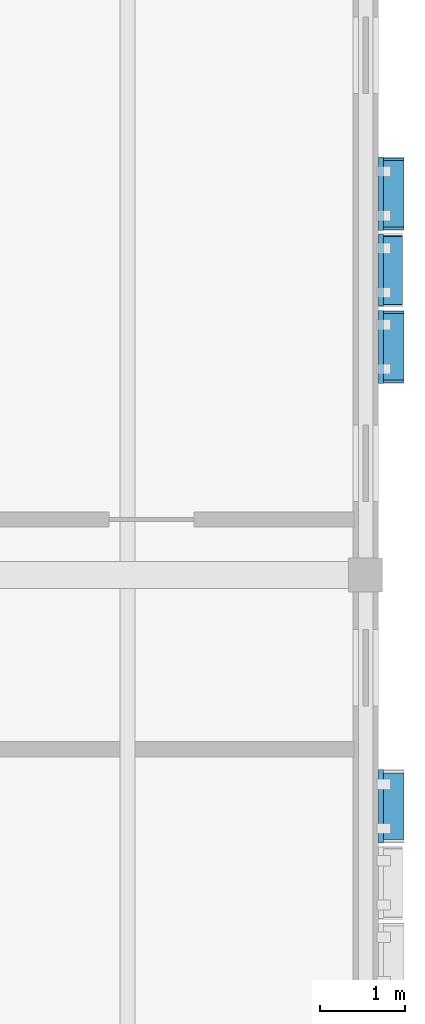
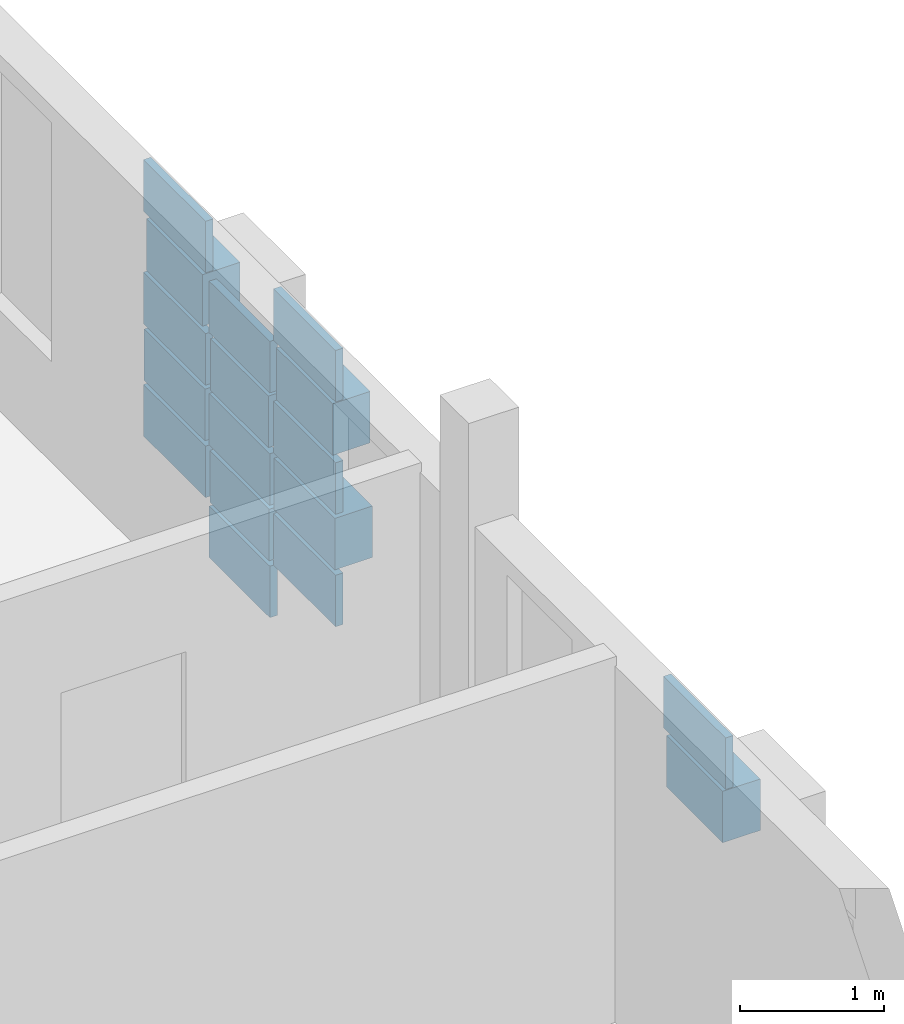
# One storey, part 33 of 57: 17 plates.
"""IFC4 building model written with IfcOpenShell, lengths in metres."""

from ifc_helpers import new_model, si_unit, direction, frame, origin, origin_2d, place, context, subcontext, project, spatial, rectangle, extrude, material, layer, layer_set, type_object, element, save


model = new_model("IFC4")

# Units and contexts
model_context = context("Model", 3, precision=1e-05, world=origin(), true_north=direction((0.0, 1.0)))
body_context = subcontext(model_context, "Body", "Model", "MODEL_VIEW")
ifc_project = project(units=[si_unit("LENGTHUNIT", "METRE"), si_unit("AREAUNIT", "SQUARE_METRE"), si_unit("VOLUMEUNIT", "CUBIC_METRE"), si_unit("PLANEANGLEUNIT", "RADIAN"), si_unit("MASSUNIT", "GRAM", prefix="KILO")], contexts=[model_context])

# Site, building, storey
site_placement = place(None, origin())
site = spatial("IfcSite", under=ifc_project, at=site_placement, CompositionType="ELEMENT")
building_placement = place(site_placement, origin())
building = spatial("IfcBuilding", under=site, at=building_placement, Name="Kahlenmark Community Centre", CompositionType="ELEMENT")
storey_placement = place(building_placement, frame((0.0, 0.0, 13.800048828125)))
storey = spatial("IfcBuildingStorey", under=building, at=storey_placement, Name="L03", CompositionType="ELEMENT", Elevation=13.800048828125)

# Plates
ifc_material_1 = material(Name="Extruded warm terracotta recessed weave tile", Category="masonry")
ifc_layer_1 = layer(ifc_material_1, 0.06005859375)
ifc_layer_set_1 = layer_set([ifc_layer_1], Name="Extruded warm terracotta recessed weave tile")
plate_type_1 = type_object("IfcPlateType", Name="PLT-TC-TC-R10-840X60X435", PredefinedType="SHEET", material=ifc_layer_set_1)
for number, where, z_axis, x_axis, name in (
    (1, (116.97998046875, 19.580078125, 0.099853515625), (0.0, 0.0, 1.0), (0.0, 1.0, 0.0), "Basketweave terracotta cassette 4460"),
    (2, (116.97998046875, 19.580078125, 1.0498046875), (0.0, 0.0, 1.0), (0.0, 1.0, 0.0), "Basketweave terracotta cassette 4462"),
    (3, (116.97998046875, 19.580078125, 2.0), (0.0, 0.0, 1.0), (0.0, 1.0, 0.0), "Basketweave terracotta cassette 4464"),
):
    element("IfcPlate", number, at=place(storey_placement, frame(where, z_axis=z_axis, x_axis=x_axis)), inside=storey, type_object=plate_type_1, Name=name, PredefinedType="SHEET", context=body_context, shape_type="SweptSolid", body=[
        extrude(rectangle(XDim=0.840087890625, YDim=0.06005859375, at=origin_2d()), origin(), (0.0, 0.0, 1.0), 0.43505859375),
    ])
ifc_layer_2 = layer(ifc_material_1, 0.06005859375)
ifc_layer_set_2 = layer_set([ifc_layer_2], Name="Extruded warm terracotta recessed weave tile")
plate_type_2 = type_object("IfcPlateType", Name="PLT-TC-TC-R10-860X60X435", PredefinedType="SHEET", material=ifc_layer_set_2)
for number, where, z_axis, x_axis, name in (
    (4, (116.97998046875, 13.280029296875, 2.474853515625), (0.0, 0.0, 1.0), (0.0, 1.0, 0.0), "Basketweave terracotta cassette 4453"),
    (5, (116.97998046875, 18.679931640625, 0.574951171875), (0.0, 0.0, 1.0), (0.0, 1.0, 0.0), "Basketweave terracotta cassette 4455"),
    (6, (116.97998046875, 18.679931640625, 1.52490234375), (0.0, 0.0, 1.0), (0.0, 1.0, 0.0), "Basketweave terracotta cassette 4457"),
    (7, (116.97998046875, 18.679931640625, 2.474853515625), (0.0, 0.0, 1.0), (0.0, 1.0, 0.0), "Basketweave terracotta cassette 4459"),
    (8, (116.97998046875, 20.47998046875, 0.574951171875), (0.0, 0.0, 1.0), (0.0, 1.0, 0.0), "Basketweave terracotta cassette 4467"),
    (9, (116.97998046875, 20.47998046875, 1.52490234375), (0.0, 0.0, 1.0), (0.0, 1.0, 0.0), "Basketweave terracotta cassette 4469"),
    (10, (116.97998046875, 20.47998046875, 2.474853515625), (0.0, 0.0, 1.0), (0.0, 1.0, 0.0), "Basketweave terracotta cassette 4471"),
):
    element("IfcPlate", number, at=place(storey_placement, frame(where, z_axis=z_axis, x_axis=x_axis)), inside=storey, type_object=plate_type_2, Name=name, PredefinedType="SHEET", context=body_context, shape_type="SweptSolid", body=[
        extrude(rectangle(XDim=0.860107421875, YDim=0.06005859375, at=origin_2d()), origin(), (0.0, 0.0, 1.0), 0.43505859375),
    ])
ifc_material_2 = material(Name="Extruded glazed terracotta weave cassette", Category="masonry")
ifc_layer_3 = layer(ifc_material_2, 0.300048828125)
ifc_layer_set_3 = layer_set([ifc_layer_3], Name="Extruded glazed terracotta weave cassette")
plate_type_3 = type_object("IfcPlateType", Name="PLT-TC-TC-R34-780X300X435", PredefinedType="SHEET", material=ifc_layer_set_3)
for number, where, z_axis, x_axis, name in (
    (11, (117.10009765625, 13.280029296875, 2.0), (0.0, 0.0, 1.0), (0.0, 1.0, 0.0), "Basketweave terracotta cassette 4452"),
    (12, (117.10009765625, 18.679931640625, 2.0), (0.0, 0.0, 1.0), (0.0, 1.0, 0.0), "Basketweave terracotta cassette 4458"),
    (13, (117.10009765625, 20.47998046875, 2.0), (0.0, 0.0, 1.0), (0.0, 1.0, 0.0), "Basketweave terracotta cassette 4470"),
):
    element("IfcPlate", number, at=place(storey_placement, frame(where, z_axis=z_axis, x_axis=x_axis)), inside=storey, type_object=plate_type_3, Name=name, PredefinedType="SHEET", context=body_context, shape_type="SweptSolid", body=[
        extrude(rectangle(XDim=0.780029296875, YDim=0.300048828125, at=origin_2d()), origin(), (0.0, 0.0, 1.0), 0.43505859375),
    ])
ifc_layer_4 = layer(ifc_material_2, 0.300048828125)
ifc_layer_set_4 = layer_set([ifc_layer_4], Name="Extruded glazed terracotta weave cassette")
plate_type_4 = type_object("IfcPlateType", Name="PLT-TC-TC-R34-840X300X435", PredefinedType="SHEET", material=ifc_layer_set_4)
for number, where, z_axis, x_axis, name in (
    (14, (117.10009765625, 18.679931640625, 1.0498046875), (0.0, 0.0, 1.0), (0.0, 1.0, 0.0), "Basketweave terracotta cassette 4456"),
    (15, (117.10009765625, 20.47998046875, 1.0498046875), (0.0, 0.0, 1.0), (0.0, 1.0, 0.0), "Basketweave terracotta cassette 4468"),
):
    element("IfcPlate", number, at=place(storey_placement, frame(where, z_axis=z_axis, x_axis=x_axis)), inside=storey, type_object=plate_type_4, Name=name, PredefinedType="SHEET", context=body_context, shape_type="SweptSolid", body=[
        extrude(rectangle(XDim=0.840087890625, YDim=0.300048828125, at=origin_2d()), origin(), (0.0, 0.0, 1.0), 0.43505859375),
    ])
ifc_layer_5 = layer(ifc_material_2, 0.280029296875)
ifc_layer_set_5 = layer_set([ifc_layer_5], Name="Extruded glazed terracotta weave cassette")
plate_type_5 = type_object("IfcPlateType", Name="PLT-TC-TC-W30-800X280X435", PredefinedType="SHEET", material=ifc_layer_set_5)
plate_1_placement = place(storey_placement, frame((117.090087890625, 19.580078125, 1.52490234375), z_axis=(0.0, 0.0, 1.0), x_axis=(0.0, 1.0, 0.0)))
element("IfcPlate", 16, at=plate_1_placement, inside=storey, type_object=plate_type_5, Name="Basketweave terracotta cassette 4463", PredefinedType="SHEET", context=body_context, shape_type="SweptSolid", body=[
    extrude(rectangle(XDim=0.800048828125, YDim=0.280029296875, at=origin_2d()), origin(), (0.0, 0.0, 1.0), 0.43505859375),
])
ifc_layer_6 = layer(ifc_material_2, 0.280029296875)
ifc_layer_set_6 = layer_set([ifc_layer_6], Name="Extruded glazed terracotta weave cassette")
plate_type_6 = type_object("IfcPlateType", Name="PLT-TC-TC-W30-820X280X435", PredefinedType="SHEET", material=ifc_layer_set_6)
plate_2_placement = place(storey_placement, frame((117.090087890625, 19.580078125, 0.574951171875), z_axis=(0.0, 0.0, 1.0), x_axis=(0.0, 1.0, 0.0)))
element("IfcPlate", 17, at=plate_2_placement, inside=storey, type_object=plate_type_6, Name="Basketweave terracotta cassette 4461", PredefinedType="SHEET", context=body_context, shape_type="SweptSolid", body=[
    extrude(rectangle(XDim=0.820068359375, YDim=0.280029296875, at=origin_2d()), origin(), (0.0, 0.0, 1.0), 0.43505859375),
])

save(model, "model.ifc")
